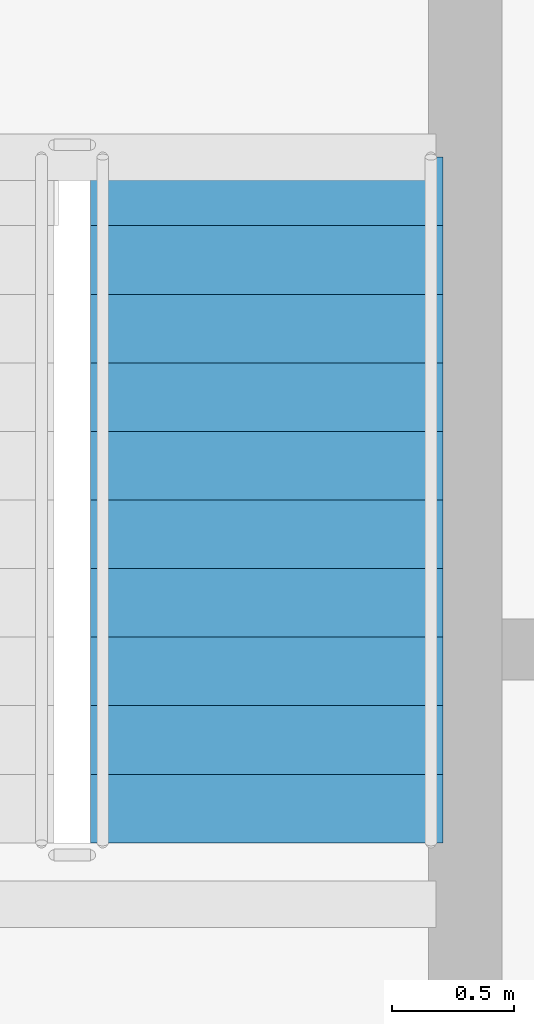
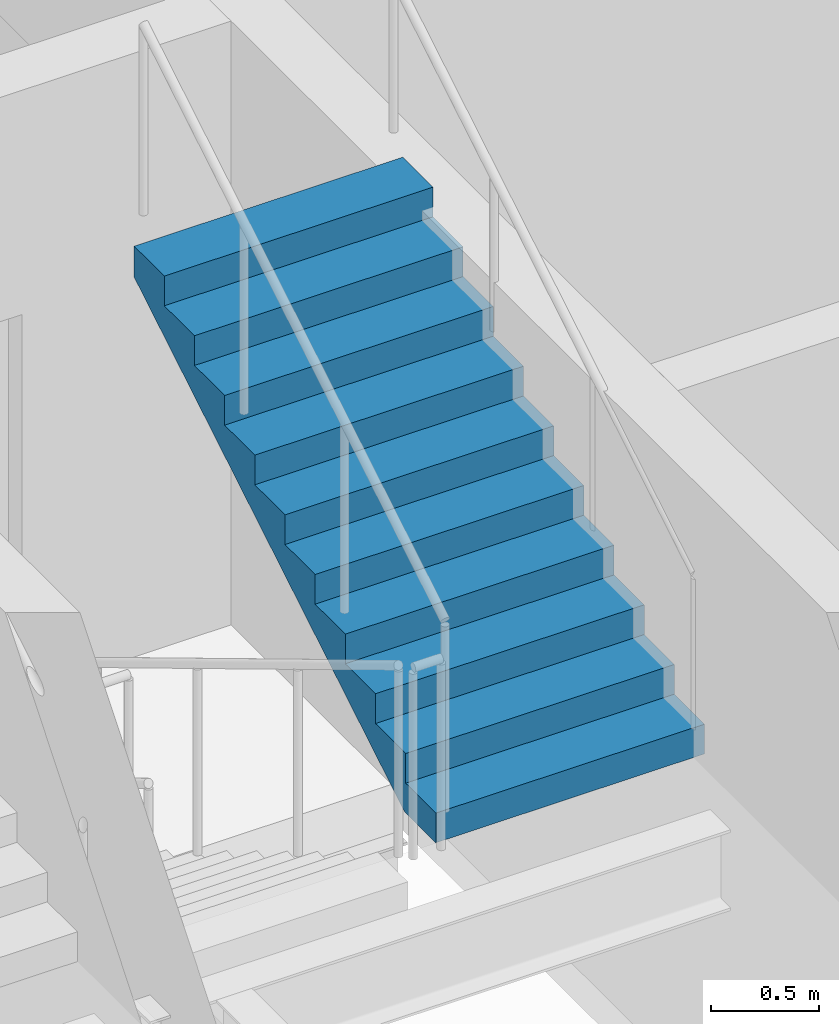
# One storey, part 24 of 29: 1 stair flight, 1 element without a shape of its own.
"""IFC4 building model written with IfcOpenShell, lengths in metres."""

import ifcopenshell
import ifcopenshell.guid

model = None  # the IFC model being written
_history = None  # IfcOwnerHistory: only IFC2X3 demands one
_inside = {}  # id of a spatial element -> (the spatial element, [elements in it])
_under = {}  # id of a project, library or spatial element -> (it, [spatial elements below it])
_declared = {}  # id of a project -> (the project, [libraries it declares])
_typed = {}  # id of a type object -> (the type object, [elements of that type])
_made_of = {}  # id of a material, layer set ... -> (it, [elements and type objects made of it])


def new_model(schema):
    """Start an empty IFC model of exactly this schema.

    Asked for "IFC4X3", IfcOpenShell would pick the latest addendum, in which some entities
    have other attributes; the version numbers below select the first issue.
    IFC2X3 requires an IfcOwnerHistory on every rooted entity: one is made here for all.
    """
    global model, _history
    if schema == "IFC4X3":
        model = ifcopenshell.file(schema_version=(4, 3, 0, 0))
    else:
        model = ifcopenshell.file(schema=schema)
    _inside.clear()
    _under.clear()
    _declared.clear()
    _typed.clear()
    _made_of.clear()
    _history = None
    if model.schema == "IFC2X3":
        org = make("IfcOrganization", Name="unknown")
        user = make(
            "IfcPersonAndOrganization",
            ThePerson=make("IfcPerson", FamilyName="unknown"),
            TheOrganization=org,
        )
        app = make(
            "IfcApplication",
            ApplicationDeveloper=org,
            Version="unknown",
            ApplicationFullName="unknown",
            ApplicationIdentifier="unknown",
        )
        _history = make(
            "IfcOwnerHistory",
            OwningUser=user,
            OwningApplication=app,
            ChangeAction="ADDED",
            CreationDate=0,
        )
    return model


def make(cls, **values):
    """One entity of the class cls with the attributes given. An attribute that is None is left unset."""
    return model.create_entity(
        cls, **{name: value for name, value in values.items() if value is not None}
    )


def rooted(cls, **values):
    """An entity with a GlobalId (a new one), such as an element, a storey or a relation."""
    return make(cls, GlobalId=ifcopenshell.guid.new(), OwnerHistory=_history, **values)


def si_unit(unit_type, name, prefix=None):
    """IfcSIUnit, for example si_unit("LENGTHUNIT", "METRE", prefix="MILLI")."""
    return make("IfcSIUnit", UnitType=unit_type, Prefix=prefix, Name=name)


def assignment(units):
    """IfcUnitAssignment: the units of a project."""
    return None if units is None else make("IfcUnitAssignment", Units=units)


def point(xyz):
    """IfcCartesianPoint."""
    return None if xyz is None else make("IfcCartesianPoint", Coordinates=xyz)


def direction(xyz):
    """IfcDirection."""
    return None if xyz is None else make("IfcDirection", DirectionRatios=xyz)


def frame(location, z_axis=None, x_axis=None):
    """IfcAxis2Placement3D, a coordinate frame: its origin and axes. An axis left out is left unset."""
    return make(
        "IfcAxis2Placement3D",
        Location=point(location),
        Axis=direction(z_axis),
        RefDirection=direction(x_axis),
    )


def origin():
    """The frame at (0, 0, 0) with its axes left unset."""
    return frame((0.0, 0.0, 0.0))


def place(relative_to, where):
    """IfcLocalPlacement: puts the frame where relative to a parent placement (None: the world)."""
    return make(
        "IfcLocalPlacement", PlacementRelTo=relative_to, RelativePlacement=where
    )


def context(
    kind, dimensions, precision=None, world=None, true_north=None, identifier=None
):
    """IfcGeometricRepresentationContext, for example the 3D "Model" context."""
    return make(
        "IfcGeometricRepresentationContext",
        ContextIdentifier=identifier,
        ContextType=kind,
        CoordinateSpaceDimension=dimensions,
        Precision=precision,
        WorldCoordinateSystem=world,
        TrueNorth=true_north,
    )


def subcontext(parent, identifier, kind, view, scale=None):
    """IfcGeometricRepresentationSubContext, for example "Body" below "Model"."""
    return make(
        "IfcGeometricRepresentationSubContext",
        ContextIdentifier=identifier,
        ContextType=kind,
        ParentContext=parent,
        TargetScale=scale,
        TargetView=view,
    )


def project(units=None, contexts=None):
    """IfcProject with its units and contexts."""
    return rooted(
        "IfcProject",
        Name="project",
        RepresentationContexts=contexts,
        UnitsInContext=assignment(units),
    )


def spatial(cls, under=None, at=None, **own):
    """A site, building, storey or space (cls), placed at a placement, below another one or the project."""
    s = rooted(cls, ObjectPlacement=at, **own)
    if under is not None:
        _under.setdefault(under.id(), (under, []))[1].append(s)
    return s


def polyline(points):
    """IfcPolyline through the points."""
    return make("IfcPolyline", Points=[point(p) for p in points])


def outline(outer, holes=None, kind="AREA"):
    """IfcArbitraryClosedProfileDef: a profile drawn as a closed curve; with holes, ...WithVoids."""
    if holes is None:
        return make("IfcArbitraryClosedProfileDef", ProfileType=kind, OuterCurve=outer)
    return make(
        "IfcArbitraryProfileDefWithVoids",
        ProfileType=kind,
        OuterCurve=outer,
        InnerCurves=holes,
    )


def extrude(swept, where, along, depth):
    """IfcExtrudedAreaSolid: the profile swept, set in the frame where, extruded along a direction by depth."""
    return make(
        "IfcExtrudedAreaSolid",
        SweptArea=swept,
        Position=where,
        ExtrudedDirection=direction(along),
        Depth=depth,
    )


def shape(context_of_items, identifier, shape_type, items):
    """IfcShapeRepresentation: the items that make up one representation, for example the "Body"."""
    return make(
        "IfcShapeRepresentation",
        ContextOfItems=context_of_items,
        RepresentationIdentifier=identifier,
        RepresentationType=shape_type,
        Items=items,
    )


def material(Name=None, Category=None):
    """IfcMaterial."""
    return make("IfcMaterial", Name=Name, Category=Category)


def layer(
    of_material, thickness, ventilated=None, Name=None, Category=None, Priority=None
):
    """IfcMaterialLayer: one layer of a wall or slab, of a material (None: an air gap)."""
    return make(
        "IfcMaterialLayer",
        Material=of_material,
        LayerThickness=thickness,
        IsVentilated=ventilated,
        Name=Name,
        Category=Category,
        Priority=Priority,
    )


def layer_set(layers, Name=None):
    """IfcMaterialLayerSet."""
    return make("IfcMaterialLayerSet", MaterialLayers=layers, LayerSetName=Name)


def made_of(thing, what):
    """Note that an element or type object is made of a material, layer set ...; save() writes the relation."""
    if what is not None:
        _made_of.setdefault(what.id(), (what, []))[1].append(thing)
    return thing


def type_object(cls, material=None, **own):
    """A type object (cls), such as IfcWallType, which elements share."""
    return made_of(rooted(cls, **own), material)


def element(
    cls,
    number,
    at=None,
    inside=None,
    cuts=None,
    type_object=None,
    material=None,
    context=None,
    identifier="Body",
    shape_type=None,
    held_by="IfcProductDefinitionShape",
    body=None,
    shapes=None,
    **own,
):
    """One element of the class cls, such as IfcWall. Its Tag is "e" and its number.

    at: its placement. inside: the storey or other place that contains it. cuts: it is an
    opening in that element (IfcRelVoidsElement). A single representation is given by context,
    identifier, shape_type and body (its items); several are given by shapes. held_by: the class
    of the entity that holds the representations. save() writes the other relations.
    """
    e = rooted(cls, Tag="e%d" % number, ObjectPlacement=at, **own)
    if body is not None:
        shapes = [shape(context, identifier, shape_type, body)]
    if shapes is not None:
        e.Representation = make(held_by, Representations=shapes)
    if inside is not None:
        _inside.setdefault(inside.id(), (inside, []))[1].append(e)
    if cuts is not None:
        rooted(
            "IfcRelVoidsElement", RelatingBuildingElement=cuts, RelatedOpeningElement=e
        )
    if type_object is not None:
        _typed.setdefault(type_object.id(), (type_object, []))[1].append(e)
    return made_of(e, material)


def aggregate(whole, parts):
    """IfcRelAggregates: a whole, such as a stair, and the parts it consists of."""
    return rooted("IfcRelAggregates", RelatingObject=whole, RelatedObjects=parts)


def save(model, path):
    """Write the relations noted so far, then the file.

    IfcRelAggregates (storeys below a building ...), IfcRelContainedInSpatialStructure (elements
    in a storey), IfcRelDefinesByType, IfcRelAssociatesMaterial and IfcRelDeclares: one each for
    every whole, place, type object, material and project.
    """
    for whole, parts in _under.values():
        aggregate(whole, parts)
    for where, things in _inside.values():
        rooted(
            "IfcRelContainedInSpatialStructure",
            RelatedElements=things,
            RelatingStructure=where,
        )
    for kind, things in _typed.values():
        rooted("IfcRelDefinesByType", RelatedObjects=things, RelatingType=kind)
    for what, things in _made_of.values():
        rooted("IfcRelAssociatesMaterial", RelatedObjects=things, RelatingMaterial=what)
    for by, libraries in _declared.values():
        rooted("IfcRelDeclares", RelatingContext=by, RelatedDefinitions=libraries)
    model.write(path)


model = new_model("IFC4")

# Units and contexts
model_context = context("Model", 3, precision=1e-05, world=origin(), true_north=direction((0.0, 1.0)))
body_context = subcontext(model_context, "Body", "Model", "MODEL_VIEW")
ifc_project = project(units=[si_unit("LENGTHUNIT", "METRE"), si_unit("AREAUNIT", "SQUARE_METRE"), si_unit("VOLUMEUNIT", "CUBIC_METRE"), si_unit("PLANEANGLEUNIT", "RADIAN"), si_unit("MASSUNIT", "GRAM", prefix="KILO")], contexts=[model_context])

# Site, building, storey
site_placement = place(None, origin())
site = spatial("IfcSite", under=ifc_project, at=site_placement, CompositionType="ELEMENT")
building_placement = place(site_placement, origin())
building = spatial("IfcBuilding", under=site, at=building_placement, Name="Solvaryn Broadcast Tower", CompositionType="ELEMENT")
storey_placement = place(building_placement, frame((0.0, 0.0, 121.10009765625)))
storey = spatial("IfcBuildingStorey", under=building, at=storey_placement, Name="L29", CompositionType="ELEMENT", Elevation=121.10009765625)

# Stair, stair flight
ifc_material_1 = material(Name="Concrete f'c 60 MPa", Category="concrete")
stair_type = type_object("IfcStairType", Name="ST-CORE", PredefinedType="HALF_TURN_STAIR", material=ifc_material_1)
stair_placement = place(storey_placement, origin())
stair = element("IfcStair", 1, at=stair_placement, inside=storey, type_object=stair_type, Name="L29 ST2", PredefinedType="HALF_TURN_STAIR")
ifc_material_2 = material(Name="Concrete f'c 60 MPa", Category="concrete")
ifc_layer = layer(ifc_material_2, 0.159912109375)
ifc_layer_set = layer_set([ifc_layer], Name="SF-CORE")
stair_flight_type = type_object("IfcStairFlightType", Name="SF-CORE", PredefinedType="STRAIGHT", material=ifc_layer_set)
stair_flight_placement = place(storey_placement, frame((17.110107421875, 33.159912109375, 1.849853515625), z_axis=(0.0, 0.0, 1.0), x_axis=(0.0, 1.0, 0.0)))
stair_flight = element("IfcStairFlight", 2, at=stair_flight_placement, type_object=stair_flight_type, Name="ST2 flight 2", NumberOfRisers=11, NumberOfTreads=10, PredefinedType="STRAIGHT", RiserHeight=0.168181818, TreadLength=0.28, context=body_context, shape_type="SweptSolid", body=[
    extrude(outline(polyline([(0.0, 0.0), (0.0, 0.168212890625), (0.280029296875, 0.168212890625), (0.280029296875, 0.33642578125), (0.56005859375, 0.33642578125), (0.56005859375, 0.504638671875), (0.840087890625, 0.504638671875), (0.840087890625, 0.672607421875), (1.1201171875, 0.672607421875), (1.1201171875, 0.8408203125), (1.39990234375, 0.8408203125), (1.39990234375, 1.009033203125), (1.679931640625, 1.009033203125), (1.679931640625, 1.17724609375), (1.9599609375, 1.17724609375), (1.9599609375, 1.345458984375), (2.239990234375, 1.345458984375), (2.239990234375, 1.513671875), (2.52001953125, 1.513671875), (2.52001953125, 1.681884765625), (2.800048828125, 1.681884765625), (2.800048828125, 1.85009765625), (2.800048828125, 1.5068359375), (0.291015625, 0.0), (0.0, 0.0)])), frame((0.0, 0.719970703125, 0.0), z_axis=(0.0, -1.0, 0.0), x_axis=(1.0, 0.0, 0.0)), (0.0, 0.0, 1.0), 1.43994140625),
])
aggregate(stair, [stair_flight])

save(model, "model.ifc")
